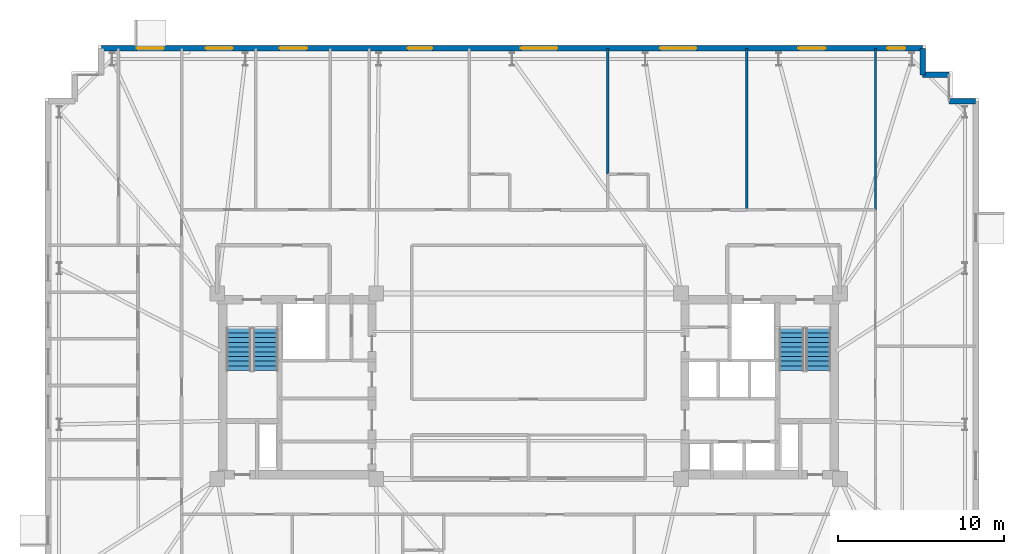
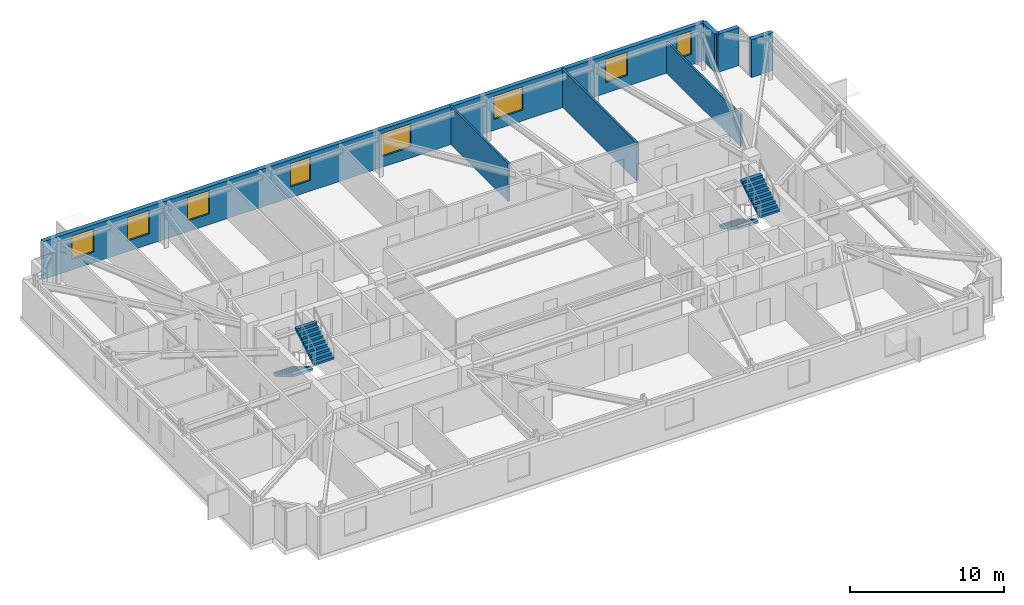
# One storey, part 15 of 17: 8 windows, 7 walls, 4 stair flights, 8 openings, 2 elements without a shape of their own.
"""IFC4 building model written with IfcOpenShell, lengths in metres."""

from ifc_helpers import new_model, si_unit, direction, frame, frame_2d, origin, place, context, subcontext, project, spatial, polyline, rectangle, outline, extrude, material, layer, layer_set, type_object, element, fill, aggregate, save


model = new_model("IFC4")

# Units and contexts
model_context = context("Model", 3, precision=1e-05, world=origin(), true_north=direction((0.0, 1.0)))
body_context = subcontext(model_context, "Body", "Model", "MODEL_VIEW")
ifc_project = project(units=[si_unit("LENGTHUNIT", "METRE"), si_unit("AREAUNIT", "SQUARE_METRE"), si_unit("VOLUMEUNIT", "CUBIC_METRE"), si_unit("PLANEANGLEUNIT", "RADIAN"), si_unit("MASSUNIT", "GRAM", prefix="KILO")], contexts=[model_context])

# Site, building, storey
site_placement = place(None, origin())
site = spatial("IfcSite", under=ifc_project, at=site_placement, CompositionType="ELEMENT")
building_placement = place(site_placement, origin())
building = spatial("IfcBuilding", under=site, at=building_placement, Name="Qobustan Lattice House", CompositionType="ELEMENT")
storey_placement = place(building_placement, frame((0.0, 0.0, 171.199951171875)))
storey = spatial("IfcBuildingStorey", under=building, at=storey_placement, Name="L48", CompositionType="ELEMENT", Elevation=171.199951171875)

# Wall, openings, windows
ifc_material_1 = material(Name="Precast concrete C40/50", Category="concrete")
ifc_layer_1 = layer(ifc_material_1, 0.320068359375)
ifc_layer_set_1 = layer_set([ifc_layer_1], Name="Precast concrete C40/50")
wall_type_1 = type_object("IfcWallType", Name="WAL-EXT-STONE-320", PredefinedType="SOLIDWALL", material=ifc_layer_set_1)
wall_1_placement = place(storey_placement, frame((-25.800048828125, 20.39990234375, 0.0), z_axis=(0.0, 0.0, 1.0), x_axis=(1.0, 0.0, 0.0)))
wall_1 = element("IfcWall", 1, at=wall_1_placement, inside=storey, type_object=wall_type_1, Name="L48 exterior limestone-clad wall 10", PredefinedType="SOLIDWALL", context=body_context, shape_type="SweptSolid", body=[
    extrude(rectangle(XDim=49.60009765625, YDim=0.320068359375, at=frame_2d((24.800048828125, 0.0))), origin(), (0.0, 0.0, 1.0), 3.0),
])
opening_1_placement = place(wall_1_placement, frame((2.135009765625, 0.0, 0.85009765625)))
opening_1 = element("IfcOpeningElement", 2, at=opening_1_placement, cuts=wall_1, Name="Opening WN-09", PredefinedType="OPENING", context=body_context, shape_type="SweptSolid", body=[
    extrude(rectangle(XDim=1.64990234375, YDim=1.85009765625, at=frame_2d((0.824951171875, 0.925048828125))), frame((0.0, 0.169921875, 0.0), z_axis=(0.0, -1.0, 0.0), x_axis=(1.0, 0.0, 0.0)), (0.0, 0.0, 1.0), 0.340087890625),
])
opening_2_placement = place(wall_1_placement, frame((6.294921875, 0.0, 0.85009765625)))
opening_2 = element("IfcOpeningElement", 3, at=opening_2_placement, cuts=wall_1, Name="Opening WN-09", PredefinedType="OPENING", context=body_context, shape_type="SweptSolid", body=[
    extrude(rectangle(XDim=1.64990234375, YDim=1.85009765625, at=frame_2d((0.824951171875, 0.925048828125))), frame((0.0, 0.169921875, 0.0), z_axis=(0.0, -1.0, 0.0), x_axis=(1.0, 0.0, 0.0)), (0.0, 0.0, 1.0), 0.340087890625),
])
opening_3_placement = place(wall_1_placement, frame((10.77490234375, 0.0, 0.85009765625)))
opening_3 = element("IfcOpeningElement", 4, at=opening_3_placement, cuts=wall_1, Name="Opening WN-09", PredefinedType="OPENING", context=body_context, shape_type="SweptSolid", body=[
    extrude(rectangle(XDim=1.64990234375, YDim=1.85009765625, at=frame_2d((0.824951171875, 0.925048828125))), frame((0.0, 0.169921875, 0.0), z_axis=(0.0, -1.0, 0.0), x_axis=(1.0, 0.0, 0.0)), (0.0, 0.0, 1.0), 0.340087890625),
])
opening_4_placement = place(wall_1_placement, frame((18.489990234375, 0.0, 0.85009765625)))
opening_4 = element("IfcOpeningElement", 5, at=opening_4_placement, cuts=wall_1, Name="Opening WN-01", PredefinedType="OPENING", context=body_context, shape_type="SweptSolid", body=[
    extrude(rectangle(XDim=1.5, YDim=1.85009765625, at=frame_2d((0.75, 0.925048828125))), frame((0.0, 0.169921875, 0.0), z_axis=(0.0, -1.0, 0.0), x_axis=(1.0, 0.0, 0.0)), (0.0, 0.0, 1.0), 0.340087890625),
])
opening_5_placement = place(wall_1_placement, frame((25.340087890625, 0.0, 0.85009765625)))
opening_5 = element("IfcOpeningElement", 6, at=opening_5_placement, cuts=wall_1, Name="Opening WN-03", PredefinedType="OPENING", context=body_context, shape_type="SweptSolid", body=[
    extrude(rectangle(XDim=2.199951171875, YDim=1.85009765625, at=frame_2d((1.10009765625, 0.925048828125))), frame((0.0, 0.169921875, 0.0), z_axis=(0.0, -1.0, 0.0), x_axis=(1.0, 0.0, 0.0)), (0.0, 0.0, 1.0), 0.340087890625),
])
opening_6_placement = place(wall_1_placement, frame((33.739990234375, 0.0, 0.85009765625)))
opening_6 = element("IfcOpeningElement", 7, at=opening_6_placement, cuts=wall_1, Name="Opening WN-03", PredefinedType="OPENING", context=body_context, shape_type="SweptSolid", body=[
    extrude(rectangle(XDim=2.199951171875, YDim=1.85009765625, at=frame_2d((1.10009765625, 0.925048828125))), frame((0.0, 0.169921875, 0.0), z_axis=(0.0, -1.0, 0.0), x_axis=(1.0, 0.0, 0.0)), (0.0, 0.0, 1.0), 0.340087890625),
])
opening_7_placement = place(wall_1_placement, frame((42.094970703125, 0.0, 0.85009765625)))
opening_7 = element("IfcOpeningElement", 8, at=opening_7_placement, cuts=wall_1, Name="Opening WN-09", PredefinedType="OPENING", context=body_context, shape_type="SweptSolid", body=[
    extrude(rectangle(XDim=1.64990234375, YDim=1.85009765625, at=frame_2d((0.824951171875, 0.925048828125))), frame((0.0, 0.169921875, 0.0), z_axis=(0.0, -1.0, 0.0), x_axis=(1.0, 0.0, 0.0)), (0.0, 0.0, 1.0), 0.340087890625),
])
opening_8_placement = place(wall_1_placement, frame((47.449951171875, 0.0, 0.85009765625)))
opening_8 = element("IfcOpeningElement", 9, at=opening_8_placement, cuts=wall_1, Name="Opening WN-04", PredefinedType="OPENING", context=body_context, shape_type="SweptSolid", body=[
    extrude(rectangle(XDim=1.10009765625, YDim=1.85009765625, at=frame_2d((0.550048828125, 0.925048828125))), frame((0.0, 0.169921875, 0.0), z_axis=(0.0, -1.0, 0.0), x_axis=(1.0, 0.0, 0.0)), (0.0, 0.0, 1.0), 0.340087890625),
])
ifc_material_2 = material(Name="Double-glazed low-E aluminium window", Category="aluminium")
window_type_1 = type_object("IfcWindowType", Name="WIN-BED-1500x1850", PartitioningType="SINGLE_PANEL", PredefinedType="WINDOW", material=ifc_material_2)
window_1_placement = place(opening_4_placement, origin())
window_1 = element("IfcWindow", 10, at=window_1_placement, inside=storey, type_object=window_type_1, Name="L48 Laundry utility room window", OverallHeight=1.85009765625, OverallWidth=1.5, PartitioningType="SINGLE_PANEL", PredefinedType="WINDOW", context=body_context, shape_type="SweptSolid", body=[
    extrude(rectangle(XDim=1.5, YDim=1.85009765625, at=frame_2d((0.75, 0.925048828125))), frame((0.0, 0.030029296875, 0.0), z_axis=(0.0, -1.0, 0.0), x_axis=(1.0, 0.0, 0.0)), (0.0, 0.0, 1.0), 0.06005859375),
])
fill(opening_4, window_1)
ifc_material_3 = material(Name="Double-glazed low-E aluminium window", Category="aluminium")
window_type_2 = type_object("IfcWindowType", Name="WIN-NAR-1100x1850", PartitioningType="SINGLE_PANEL", PredefinedType="WINDOW", material=ifc_material_3)
window_2_placement = place(opening_8_placement, origin())
window_2 = element("IfcWindow", 11, at=window_2_placement, inside=storey, type_object=window_type_2, Name="L48 Collaborative tutorial room window", OverallHeight=1.85009765625, OverallWidth=1.10009765625, PartitioningType="SINGLE_PANEL", PredefinedType="WINDOW", context=body_context, shape_type="SweptSolid", body=[
    extrude(rectangle(XDim=1.10009765625, YDim=1.85009765625, at=frame_2d((0.550048828125, 0.925048828125))), frame((0.0, 0.030029296875, 0.0), z_axis=(0.0, -1.0, 0.0), x_axis=(1.0, 0.0, 0.0)), (0.0, 0.0, 1.0), 0.06005859375),
])
fill(opening_8, window_2)
ifc_material_4 = material(Name="Double-glazed low-E aluminium window", Category="aluminium")
window_type_3 = type_object("IfcWindowType", Name="WIN-STU-1650x1850", PartitioningType="SINGLE_PANEL", PredefinedType="WINDOW", material=ifc_material_4)
window_3_placement = place(opening_1_placement, origin())
window_3 = element("IfcWindow", 12, at=window_3_placement, inside=storey, type_object=window_type_3, Name="L48 Reading seminar room L48WN window", OverallHeight=1.85009765625, OverallWidth=1.64990234375, PartitioningType="SINGLE_PANEL", PredefinedType="WINDOW", context=body_context, shape_type="SweptSolid", body=[
    extrude(rectangle(XDim=1.64990234375, YDim=1.85009765625, at=frame_2d((0.824951171875, 0.925048828125))), frame((0.0, 0.030029296875, 0.0), z_axis=(0.0, -1.0, 0.0), x_axis=(1.0, 0.0, 0.0)), (0.0, 0.0, 1.0), 0.06005859375),
])
fill(opening_1, window_3)
window_4_placement = place(opening_2_placement, origin())
window_4 = element("IfcWindow", 13, at=window_4_placement, inside=storey, type_object=window_type_3, Name="L48 Focus study room N1A window", OverallHeight=1.85009765625, OverallWidth=1.64990234375, PartitioningType="SINGLE_PANEL", PredefinedType="WINDOW", context=body_context, shape_type="SweptSolid", body=[
    extrude(rectangle(XDim=1.64990234375, YDim=1.85009765625, at=frame_2d((0.824951171875, 0.925048828125))), frame((0.0, 0.030029296875, 0.0), z_axis=(0.0, -1.0, 0.0), x_axis=(1.0, 0.0, 0.0)), (0.0, 0.0, 1.0), 0.06005859375),
])
fill(opening_2, window_4)
window_5_placement = place(opening_3_placement, origin())
window_5 = element("IfcWindow", 14, at=window_5_placement, inside=storey, type_object=window_type_3, Name="L48 Focus study room N1B window", OverallHeight=1.85009765625, OverallWidth=1.64990234375, PartitioningType="SINGLE_PANEL", PredefinedType="WINDOW", context=body_context, shape_type="SweptSolid", body=[
    extrude(rectangle(XDim=1.64990234375, YDim=1.85009765625, at=frame_2d((0.824951171875, 0.925048828125))), frame((0.0, 0.030029296875, 0.0), z_axis=(0.0, -1.0, 0.0), x_axis=(1.0, 0.0, 0.0)), (0.0, 0.0, 1.0), 0.06005859375),
])
fill(opening_3, window_5)
window_6_placement = place(opening_7_placement, origin())
window_6 = element("IfcWindow", 15, at=window_6_placement, inside=storey, type_object=window_type_3, Name="L48 Focus study room N5 window", OverallHeight=1.85009765625, OverallWidth=1.64990234375, PartitioningType="SINGLE_PANEL", PredefinedType="WINDOW", context=body_context, shape_type="SweptSolid", body=[
    extrude(rectangle(XDim=1.64990234375, YDim=1.85009765625, at=frame_2d((0.824951171875, 0.925048828125))), frame((0.0, 0.030029296875, 0.0), z_axis=(0.0, -1.0, 0.0), x_axis=(1.0, 0.0, 0.0)), (0.0, 0.0, 1.0), 0.06005859375),
])
fill(opening_7, window_6)
ifc_material_5 = material(Name="Double-glazed low-E aluminium window", Category="aluminium")
window_type_4 = type_object("IfcWindowType", Name="WIN-WIDE-2200x1850", PartitioningType="SINGLE_PANEL", PredefinedType="WINDOW", material=ifc_material_5)
window_7_placement = place(opening_5_placement, origin())
window_7 = element("IfcWindow", 16, at=window_7_placement, inside=storey, type_object=window_type_4, Name="L48 Kitchenette and studio apartment L48-N3 window", OverallHeight=1.85009765625, OverallWidth=2.199951171875, PartitioningType="SINGLE_PANEL", PredefinedType="WINDOW", context=body_context, shape_type="SweptSolid", body=[
    extrude(rectangle(XDim=2.199951171875, YDim=1.85009765625, at=frame_2d((1.10009765625, 0.925048828125))), frame((0.0, 0.030029296875, 0.0), z_axis=(0.0, -1.0, 0.0), x_axis=(1.0, 0.0, 0.0)), (0.0, 0.0, 1.0), 0.06005859375),
])
fill(opening_5, window_7)
window_8_placement = place(opening_6_placement, origin())
window_8 = element("IfcWindow", 17, at=window_8_placement, inside=storey, type_object=window_type_4, Name="L48 Kitchenette and studio apartment L48-N4 window", OverallHeight=1.85009765625, OverallWidth=2.199951171875, PartitioningType="SINGLE_PANEL", PredefinedType="WINDOW", context=body_context, shape_type="SweptSolid", body=[
    extrude(rectangle(XDim=2.199951171875, YDim=1.85009765625, at=frame_2d((1.10009765625, 0.925048828125))), frame((0.0, 0.030029296875, 0.0), z_axis=(0.0, -1.0, 0.0), x_axis=(1.0, 0.0, 0.0)), (0.0, 0.0, 1.0), 0.06005859375),
])
fill(opening_6, window_8)

# Walls
for number, where, z_axis, x_axis, name in (
    (18, (23.800048828125, 20.39990234375, 0.0), (0.0, 0.0, 1.0), (0.0, -1.0, 0.0), "L48 exterior limestone-clad wall 11"),
    (19, (23.800048828125, 18.800048828125, 0.0), (0.0, 0.0, 1.0), (1.0, 0.0, 0.0), "L48 exterior limestone-clad wall 12"),
):
    element("IfcWall", number, at=place(storey_placement, frame(where, z_axis=z_axis, x_axis=x_axis)), inside=storey, type_object=wall_type_1, Name=name, PredefinedType="SOLIDWALL", context=body_context, shape_type="SweptSolid", body=[
        extrude(rectangle(XDim=1.599853515625, YDim=0.320068359375, at=frame_2d((0.7998046875, 0.0))), origin(), (0.0, 0.0, 1.0), 3.0),
    ])
wall_2_placement = place(storey_placement, frame((25.39990234375, 17.199951171875, 0.0), z_axis=(0.0, 0.0, 1.0), x_axis=(1.0, 0.0, 0.0)))
element("IfcWall", 20, at=wall_2_placement, inside=storey, type_object=wall_type_1, Name="L48 exterior limestone-clad wall 14", PredefinedType="SOLIDWALL", context=body_context, shape_type="SweptSolid", body=[
    extrude(rectangle(XDim=1.60009765625, YDim=0.320068359375, at=frame_2d((0.800048828125, 0.0))), origin(), (0.0, 0.0, 1.0), 3.0),
])
ifc_material_6 = material(Name="Acoustic twin-stud gypsum partition", Category="gypsum")
ifc_layer_2 = layer(ifc_material_6, 0.14990234375)
ifc_layer_set_2 = layer_set([ifc_layer_2], Name="Acoustic twin-stud gypsum partition")
wall_type_2 = type_object("IfcWallType", Name="WAL-PART-150", PredefinedType="PARTITIONING", material=ifc_layer_set_2)
wall_3_placement = place(storey_placement, frame((20.949951171875, 10.64990234375, 0.0), z_axis=(0.0, 0.0, 1.0), x_axis=(0.0, 1.0, 0.0)))
element("IfcWall", 21, at=wall_3_placement, inside=storey, type_object=wall_type_2, Name="L48 interior partition 88", PredefinedType="PARTITIONING", context=body_context, shape_type="SweptSolid", body=[
    extrude(rectangle(XDim=9.75, YDim=0.14990234375, at=frame_2d((4.875, 0.0))), origin(), (0.0, 0.0, 1.0), 2.485107421875),
])
wall_4_placement = place(storey_placement, frame((4.7900390625, 20.39990234375, 0.0), z_axis=(0.0, 0.0, 1.0), x_axis=(0.0, -1.0, 0.0)))
element("IfcWall", 22, at=wall_4_placement, inside=storey, type_object=wall_type_2, Name="L48 interior partition 96", PredefinedType="PARTITIONING", context=body_context, shape_type="SweptSolid", body=[
    extrude(rectangle(XDim=7.599853515625, YDim=0.14990234375, at=frame_2d((3.7998046875, 0.0))), origin(), (0.0, 0.0, 1.0), 3.0),
])
wall_5_placement = place(storey_placement, frame((13.169921875, 20.39990234375, 0.0), z_axis=(0.0, 0.0, 1.0), x_axis=(0.0, -1.0, 0.0)))
element("IfcWall", 23, at=wall_5_placement, inside=storey, type_object=wall_type_2, Name="L48 interior partition 100", PredefinedType="PARTITIONING", context=body_context, shape_type="SweptSolid", body=[
    extrude(rectangle(XDim=9.75, YDim=0.14990234375, at=frame_2d((4.875, 0.0))), origin(), (0.0, 0.0, 1.0), 3.0),
])

# Stair, stair flights
ifc_material_7 = material(Name="Concrete C40/50", Category="concrete")
stair_type = type_object("IfcStairType", Name="STR-CORE-DOGLEG", PredefinedType="HALF_TURN_STAIR", material=ifc_material_7)
stair_1_placement = place(storey_placement, origin())
stair_1 = element("IfcStair", 24, at=stair_1_placement, inside=storey, type_object=stair_type, Name="L48 West protected exit stair ST-W1", PredefinedType="HALF_TURN_STAIR")
ifc_material_8 = material(Name="Concrete C40/50", Category="concrete")
stair_flight_type = type_object("IfcStairFlightType", Name="SFL-RC-1500", PredefinedType="STRAIGHT", material=ifc_material_8)
stair_flight_1_placement = place(storey_placement, frame((-17.5, 3.5, 0.0), z_axis=(0.0, 0.0, 1.0), x_axis=(0.0, -1.0, 0.0)))
stair_flight_1 = element("IfcStairFlight", 25, at=stair_flight_1_placement, type_object=stair_flight_type, Name="ST-W1 flight 1", NumberOfRisers=10, NumberOfTreads=9, PredefinedType="STRAIGHT", RiserHeight=0.1675, TreadLength=0.285, context=body_context, shape_type="SweptSolid", body=[
    extrude(outline(polyline([(0.0, 0.0), (0.0, 0.16748046875), (0.284912109375, 0.16748046875), (0.284912109375, 0.3349609375), (0.570068359375, 0.3349609375), (0.570068359375, 0.50244140625), (0.85498046875, 0.50244140625), (0.85498046875, 0.669921875), (1.139892578125, 0.669921875), (1.139892578125, 0.83740234375), (1.425048828125, 0.83740234375), (1.425048828125, 1.0048828125), (1.7099609375, 1.0048828125), (1.7099609375, 1.172607421875), (1.9951171875, 1.172607421875), (1.9951171875, 1.340087890625), (2.280029296875, 1.340087890625), (2.280029296875, 1.507568359375), (2.56494140625, 1.507568359375), (2.56494140625, 1.675048828125), (2.56494140625, 1.333740234375), (0.2958984375, 0.0), (0.0, 0.0)])), frame((0.0, 0.75, 0.0), z_axis=(0.0, -1.0, 0.0), x_axis=(1.0, 0.0, 0.0)), (0.0, 0.0, 1.0), 1.5),
])
stair_flight_2_placement = place(storey_placement, frame((-15.8798828125, 0.93505859375, 1.675048828125), z_axis=(0.0, 0.0, 1.0), x_axis=(0.0, 1.0, 0.0)))
stair_flight_2 = element("IfcStairFlight", 26, at=stair_flight_2_placement, type_object=stair_flight_type, Name="ST-W1 flight 2", NumberOfRisers=10, NumberOfTreads=9, PredefinedType="STRAIGHT", RiserHeight=0.1675, TreadLength=0.285, context=body_context, shape_type="SweptSolid", body=[
    extrude(outline(polyline([(0.0, 0.0), (0.0, 0.16748046875), (0.284912109375, 0.16748046875), (0.284912109375, 0.3349609375), (0.570068359375, 0.3349609375), (0.570068359375, 0.50244140625), (0.85498046875, 0.50244140625), (0.85498046875, 0.669921875), (1.139892578125, 0.669921875), (1.139892578125, 0.83740234375), (1.425048828125, 0.83740234375), (1.425048828125, 1.0048828125), (1.7099609375, 1.0048828125), (1.7099609375, 1.172607421875), (1.9951171875, 1.172607421875), (1.9951171875, 1.340087890625), (2.280029296875, 1.340087890625), (2.280029296875, 1.507568359375), (2.56494140625, 1.507568359375), (2.56494140625, 1.675048828125), (2.56494140625, 1.333740234375), (0.2958984375, 0.0), (0.0, 0.0)])), frame((0.0, 0.75, 0.0), z_axis=(0.0, -1.0, 0.0), x_axis=(1.0, 0.0, 0.0)), (0.0, 0.0, 1.0), 1.5),
])
aggregate(stair_1, [stair_flight_1, stair_flight_2])

stair_2_placement = place(storey_placement, origin())
stair_2 = element("IfcStair", 27, at=stair_2_placement, inside=storey, type_object=stair_type, Name="L48 East protected exit stair ST-E1", PredefinedType="HALF_TURN_STAIR")
stair_flight_3_placement = place(storey_placement, frame((15.8798828125, 3.5, 0.0), z_axis=(0.0, 0.0, 1.0), x_axis=(0.0, -1.0, 0.0)))
stair_flight_3 = element("IfcStairFlight", 28, at=stair_flight_3_placement, type_object=stair_flight_type, Name="ST-E1 flight 1", NumberOfRisers=10, NumberOfTreads=9, PredefinedType="STRAIGHT", RiserHeight=0.1675, TreadLength=0.285, context=body_context, shape_type="SweptSolid", body=[
    extrude(outline(polyline([(0.0, 0.0), (0.0, 0.16748046875), (0.284912109375, 0.16748046875), (0.284912109375, 0.3349609375), (0.570068359375, 0.3349609375), (0.570068359375, 0.50244140625), (0.85498046875, 0.50244140625), (0.85498046875, 0.669921875), (1.139892578125, 0.669921875), (1.139892578125, 0.83740234375), (1.425048828125, 0.83740234375), (1.425048828125, 1.0048828125), (1.7099609375, 1.0048828125), (1.7099609375, 1.172607421875), (1.9951171875, 1.172607421875), (1.9951171875, 1.340087890625), (2.280029296875, 1.340087890625), (2.280029296875, 1.507568359375), (2.56494140625, 1.507568359375), (2.56494140625, 1.675048828125), (2.56494140625, 1.333740234375), (0.2958984375, 0.0), (0.0, 0.0)])), frame((0.0, 0.75, 0.0), z_axis=(0.0, -1.0, 0.0), x_axis=(1.0, 0.0, 0.0)), (0.0, 0.0, 1.0), 1.5),
])
stair_flight_4_placement = place(storey_placement, frame((17.5, 0.93505859375, 1.675048828125), z_axis=(0.0, 0.0, 1.0), x_axis=(0.0, 1.0, 0.0)))
stair_flight_4 = element("IfcStairFlight", 29, at=stair_flight_4_placement, type_object=stair_flight_type, Name="ST-E1 flight 2", NumberOfRisers=10, NumberOfTreads=9, PredefinedType="STRAIGHT", RiserHeight=0.1675, TreadLength=0.285, context=body_context, shape_type="SweptSolid", body=[
    extrude(outline(polyline([(0.0, 0.0), (0.0, 0.16748046875), (0.284912109375, 0.16748046875), (0.284912109375, 0.3349609375), (0.570068359375, 0.3349609375), (0.570068359375, 0.50244140625), (0.85498046875, 0.50244140625), (0.85498046875, 0.669921875), (1.139892578125, 0.669921875), (1.139892578125, 0.83740234375), (1.425048828125, 0.83740234375), (1.425048828125, 1.0048828125), (1.7099609375, 1.0048828125), (1.7099609375, 1.172607421875), (1.9951171875, 1.172607421875), (1.9951171875, 1.340087890625), (2.280029296875, 1.340087890625), (2.280029296875, 1.507568359375), (2.56494140625, 1.507568359375), (2.56494140625, 1.675048828125), (2.56494140625, 1.333740234375), (0.2958984375, 0.0), (0.0, 0.0)])), frame((0.0, 0.75, 0.0), z_axis=(0.0, -1.0, 0.0), x_axis=(1.0, 0.0, 0.0)), (0.0, 0.0, 1.0), 1.5),
])
aggregate(stair_2, [stair_flight_3, stair_flight_4])

save(model, "model.ifc")
